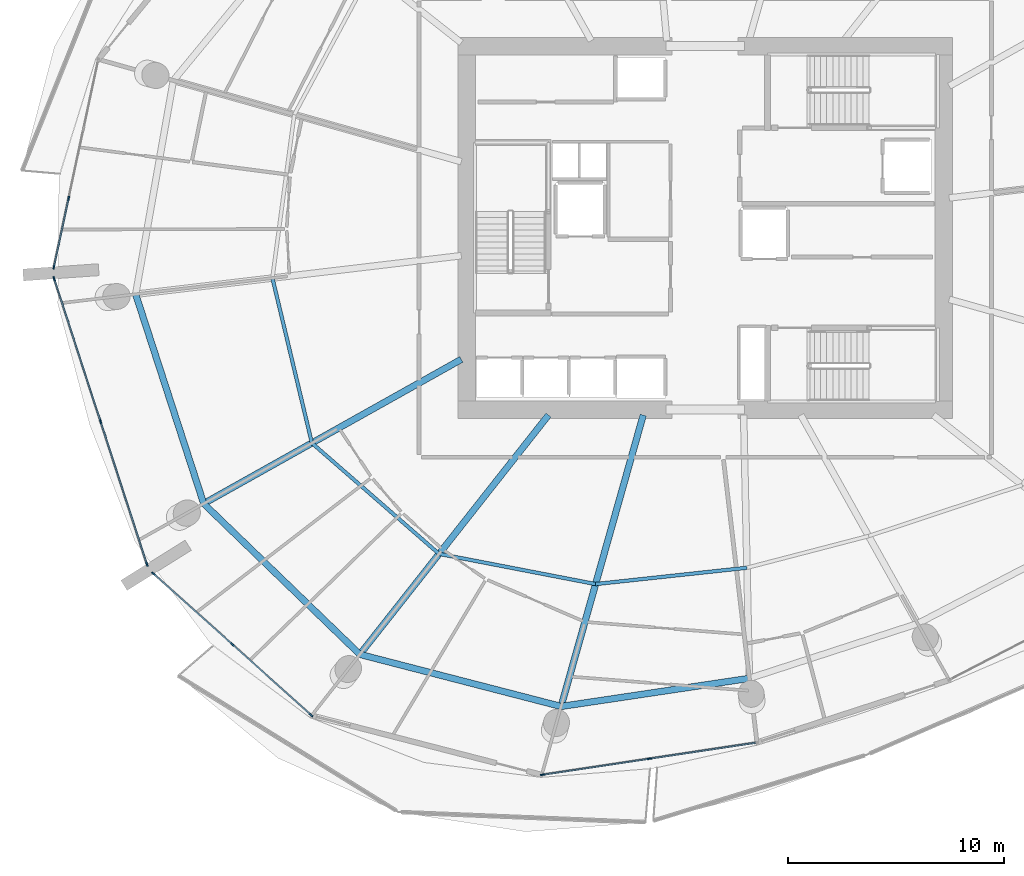
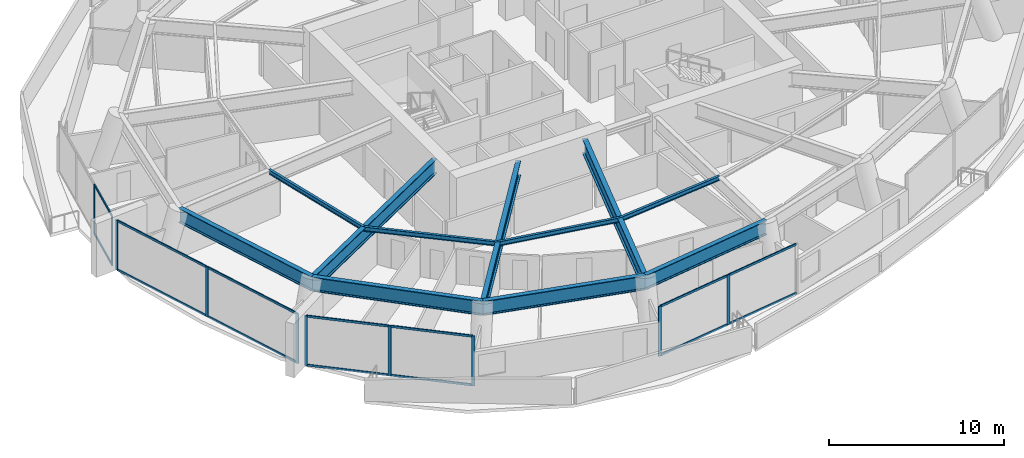
# One storey, part 5 of 23: 24 members, 11 beams, 4 elements without a shape of their own.
"""IFC4 building model written with IfcOpenShell, lengths in metres."""

from ifc_helpers import new_model, si_unit, direction, frame, origin, origin_2d, place, context, subcontext, project, spatial, rectangle, i_section, extrude, material, layer, layer_set, material_profile, profile_set, type_object, element, aggregate, save


model = new_model("IFC4")

# Units and contexts
model_context = context("Model", 3, precision=1e-05, world=origin(), true_north=direction((0.0, 1.0)))
body_context = subcontext(model_context, "Body", "Model", "MODEL_VIEW")
ifc_project = project(units=[si_unit("LENGTHUNIT", "METRE"), si_unit("AREAUNIT", "SQUARE_METRE"), si_unit("VOLUMEUNIT", "CUBIC_METRE"), si_unit("PLANEANGLEUNIT", "RADIAN"), si_unit("MASSUNIT", "GRAM", prefix="KILO")], contexts=[model_context])

# Site, building, storey
site_placement = place(None, origin())
site = spatial("IfcSite", under=ifc_project, at=site_placement, CompositionType="ELEMENT")
building_placement = place(site_placement, origin())
building = spatial("IfcBuilding", under=site, at=building_placement, Name="Kazma Halo Residences", CompositionType="ELEMENT")
storey_placement = place(building_placement, frame((0.0, 0.0, 112.64990234375)))
storey = spatial("IfcBuildingStorey", under=building, at=storey_placement, Name="L28", CompositionType="ELEMENT", Elevation=112.64990234375)

# Beams
ifc_material_1 = material(Name="Steel S355", Category="steel")
ifc_material_profile_1 = material_profile(ifc_material_1, i_section(OverallWidth=0.1650390625, OverallDepth=0.31005859375, WebThickness=0.005859375, FlangeThickness=0.009765625, FilletRadius=0.011962890625, at=origin_2d()), Name="W310x38.7")
ifc_profile_set_1 = profile_set([ifc_material_profile_1], Name="Steel S355")
beam_type_1 = type_object("IfcBeamType", Name="BM-SEC-W310B", PredefinedType="JOIST", material=ifc_profile_set_1)
beam_1_placement = place(storey_placement, frame((28.422607421875, 39.682861328125, 3.315185546875), z_axis=(0.232609711468, -0.972570163089, 0.0), x_axis=(0.972570163089, 0.232609711468, 0.0)))
element("IfcBeam", 1, at=beam_1_placement, inside=storey, type_object=beam_type_1, Name="L28 circumferential floor joist 08", PredefinedType="JOIST", context=body_context, shape_type="SweptSolid", body=[
    extrude(i_section(OverallWidth=0.1650390625, OverallDepth=0.31005859375, WebThickness=0.005859375, FlangeThickness=0.009765625, FilletRadius=0.011962890625, at=origin_2d()), origin(), (0.0, 0.0, 1.0), 7.84033203125),
])
beam_2_placement = place(storey_placement, frame((30.246337890625, 32.0576171875, 3.315185546875), z_axis=(0.753888453115, -0.657002435506, 0.0), x_axis=(0.657002435506, 0.753888453115, 0.0)))
element("IfcBeam", 2, at=beam_2_placement, inside=storey, type_object=beam_type_1, Name="L28 circumferential floor joist 09", PredefinedType="JOIST", context=body_context, shape_type="SweptSolid", body=[
    extrude(i_section(OverallWidth=0.1650390625, OverallDepth=0.31005859375, WebThickness=0.005859375, FlangeThickness=0.009765625, FilletRadius=0.011962890625, at=origin_2d()), origin(), (0.0, 0.0, 1.0), 7.79638671875),
])
beam_3_placement = place(storey_placement, frame((36.1240234375, 26.935302734375, 3.315185546875), z_axis=(0.981894944098, -0.189426288449, 0.0), x_axis=(0.189426288449, 0.981894944098, 0.0)))
element("IfcBeam", 3, at=beam_3_placement, inside=storey, type_object=beam_type_1, Name="L28 circumferential floor joist 10", PredefinedType="JOIST", context=body_context, shape_type="SweptSolid", body=[
    extrude(i_section(OverallWidth=0.1650390625, OverallDepth=0.31005859375, WebThickness=0.005859375, FlangeThickness=0.009765625, FilletRadius=0.011962890625, at=origin_2d()), origin(), (0.0, 0.0, 1.0), 7.366943359375),
])
beam_4_placement = place(storey_placement, frame((43.357666015625, 25.539794921875, 3.315185546875), z_axis=(0.994246365441, 0.107117528012, 0.0), x_axis=(-0.107117528012, 0.994246365441, 0.0)))
element("IfcBeam", 4, at=beam_4_placement, inside=storey, type_object=beam_type_1, Name="L28 circumferential floor joist 11", PredefinedType="JOIST", context=body_context, shape_type="SweptSolid", body=[
    extrude(i_section(OverallWidth=0.1650390625, OverallDepth=0.31005859375, WebThickness=0.005859375, FlangeThickness=0.009765625, FilletRadius=0.011962890625, at=origin_2d()), origin(), (0.0, 0.0, 1.0), 7.035888671875),
])
ifc_material_profile_2 = material_profile(ifc_material_1, i_section(OverallWidth=0.302001953125, OverallDepth=1.01806640625, WebThickness=0.021484375, FlangeThickness=0.049072265625, FilletRadius=0.028076171875, at=origin_2d()), Name="W1000x443")
ifc_profile_set_2 = profile_set([ifc_material_profile_2], Name="Steel S355")
beam_type_2 = type_object("IfcBeamType", Name="BM-TRANS-W1000A", PredefinedType="BEAM", material=ifc_profile_set_2)
beam_5_placement = place(storey_placement, frame((37.14990234375, 35.923583984375, 2.961181640625), z_axis=(-0.872500217681, -0.48861372284, 0.0), x_axis=(0.48861372284, -0.872500217681, 0.0)))
element("IfcBeam", 5, at=beam_5_placement, inside=storey, type_object=beam_type_2, Name="L28 podium radial transfer girder 09", PredefinedType="BEAM", context=body_context, shape_type="SweptSolid", body=[
    extrude(i_section(OverallWidth=0.302001953125, OverallDepth=1.01806640625, WebThickness=0.021484375, FlangeThickness=0.049072265625, FilletRadius=0.028076171875, at=origin_2d()), origin(), (0.0, 0.0, 1.0), 13.64208984375),
])
beam_6_placement = place(storey_placement, frame((41.180908203125, 33.35009765625, 2.961181640625), z_axis=(-0.619089364637, -0.785320545123, 0.0), x_axis=(0.785320545123, -0.619089364637, 0.0)))
element("IfcBeam", 6, at=beam_6_placement, inside=storey, type_object=beam_type_2, Name="L28 podium radial transfer girder 10", PredefinedType="BEAM", context=body_context, shape_type="SweptSolid", body=[
    extrude(i_section(OverallWidth=0.302001953125, OverallDepth=1.01806640625, WebThickness=0.021484375, FlangeThickness=0.049072265625, FilletRadius=0.028076171875, at=origin_2d()), origin(), (0.0, 0.0, 1.0), 14.083251953125),
])
beam_7_placement = place(storey_placement, frame((45.560302734375, 33.35009765625, 2.961181640625), z_axis=(-0.271430738381, -0.962457975323, 0.0), x_axis=(0.962457975323, -0.271430738381, 0.0)))
element("IfcBeam", 7, at=beam_7_placement, inside=storey, type_object=beam_type_2, Name="L28 podium radial transfer girder 11", PredefinedType="BEAM", context=body_context, shape_type="SweptSolid", body=[
    extrude(i_section(OverallWidth=0.302001953125, OverallDepth=1.01806640625, WebThickness=0.021484375, FlangeThickness=0.049072265625, FilletRadius=0.028076171875, at=origin_2d()), origin(), (0.0, 0.0, 1.0), 13.990966796875),
])
ifc_material_profile_3 = material_profile(ifc_material_1, i_section(OverallWidth=0.300048828125, OverallDepth=1.0, WebThickness=0.01904296875, FlangeThickness=0.0400390625, FilletRadius=0.02587890625, at=origin_2d()), Name="W1000x371")
ifc_profile_set_3 = profile_set([ifc_material_profile_3], Name="Steel S355")
beam_type_3 = type_object("IfcBeamType", Name="BM-TRANS-W1000B", PredefinedType="BEAM", material=ifc_profile_set_3)
beam_8_placement = place(storey_placement, frame((22.102783203125, 38.934814453125, 2.97021484375), z_axis=(0.30902042344, -0.951055402118, 0.0), x_axis=(0.951055402118, 0.30902042344, 0.0)))
element("IfcBeam", 8, at=beam_8_placement, inside=storey, type_object=beam_type_3, Name="L28 perimeter ring beam 08", PredefinedType="BEAM", context=body_context, shape_type="SweptSolid", body=[
    extrude(i_section(OverallWidth=0.300048828125, OverallDepth=1.0, WebThickness=0.01904296875, FlangeThickness=0.0400390625, FilletRadius=0.02587890625, at=origin_2d()), origin(), (0.0, 0.0, 1.0), 10.175048828125),
])
beam_9_placement = place(storey_placement, frame((25.2470703125, 29.2578125, 2.97021484375), z_axis=(0.71933980474, -0.694658365901, 0.0), x_axis=(0.694658365901, 0.71933980474, 0.0)))
element("IfcBeam", 9, at=beam_9_placement, inside=storey, type_object=beam_type_3, Name="L28 perimeter ring beam 09", PredefinedType="BEAM", context=body_context, shape_type="SweptSolid", body=[
    extrude(i_section(OverallWidth=0.300048828125, OverallDepth=1.0, WebThickness=0.01904296875, FlangeThickness=0.0400390625, FilletRadius=0.02587890625, at=origin_2d()), origin(), (0.0, 0.0, 1.0), 10.0302734375),
])
beam_10_placement = place(storey_placement, frame((32.462158203125, 22.290283203125, 2.97021484375), z_axis=(0.968129383871, -0.250450586115, 0.0), x_axis=(0.250450586115, 0.968129383871, 0.0)))
element("IfcBeam", 10, at=beam_10_placement, inside=storey, type_object=beam_type_3, Name="L28 perimeter ring beam 10", PredefinedType="BEAM", context=body_context, shape_type="SweptSolid", body=[
    extrude(i_section(OverallWidth=0.300048828125, OverallDepth=1.0, WebThickness=0.01904296875, FlangeThickness=0.0400390625, FilletRadius=0.02587890625, at=origin_2d()), origin(), (0.0, 0.0, 1.0), 9.606689453125),
])
beam_11_placement = place(storey_placement, frame((41.7626953125, 19.88427734375, 2.97021484375), z_axis=(0.989037895596, 0.147661914772, 0.0), x_axis=(-0.147661914772, 0.989037895596, 0.0)))
element("IfcBeam", 11, at=beam_11_placement, inside=storey, type_object=beam_type_3, Name="L28 perimeter ring beam 11", PredefinedType="BEAM", context=body_context, shape_type="SweptSolid", body=[
    extrude(i_section(OverallWidth=0.300048828125, OverallDepth=1.0, WebThickness=0.01904296875, FlangeThickness=0.0400390625, FilletRadius=0.02587890625, at=origin_2d()), origin(), (0.0, 0.0, 1.0), 8.797607421875),
])

# Curtain wall, members
ifc_material_2 = material(Name="Aluminium AW-6063 T6 and Triple-Silver Low-E Glass", Category="aluminium")
ifc_layer = layer(ifc_material_2, 0.199951171875)
ifc_layer_set = layer_set([ifc_layer], Name="Aluminium AW-6063 T6 and Triple-Silver Low-E Glass")
curtain_wall_type = type_object("IfcCurtainWallType", Name="CW-SYS-3", PredefinedType="NOTDEFINED", material=ifc_layer_set)
curtain_wall_1_placement = place(storey_placement, origin())
curtain_wall_1 = element("IfcCurtainWall", 12, at=curtain_wall_1_placement, inside=storey, type_object=curtain_wall_type, Name="L28 unitised curtain wall B07", PredefinedType="NOTDEFINED")
ifc_material_3 = material(Name="Aluminium AW-6063 T6", Category="aluminium")
ifc_material_profile_4 = material_profile(ifc_material_3, rectangle(XDim=0.070068359375, YDim=0.199951171875, at=origin_2d()), Name="CWM-70x200")
ifc_profile_set_4 = profile_set([ifc_material_profile_4], Name="Aluminium AW-6063 T6")
member_type_1 = type_object("IfcMemberType", Name="CW-SYS-3-MUL", PredefinedType="MULLION", material=ifc_profile_set_4)
member_1_placement = place(storey_placement, frame((19.004638671875, 43.36865234375, 0.0), z_axis=(0.0, 0.0, 1.0), x_axis=(0.977774176093, -0.209660822677, 0.0)))
member_1 = element("IfcMember", 13, at=member_1_placement, type_object=member_type_1, Name="CWS-3 mullion 3", PredefinedType="MULLION", context=body_context, shape_type="SweptSolid", body=[
    extrude(rectangle(XDim=0.070068359375, YDim=0.199951171875, at=origin_2d()), origin(), (0.0, 0.0, 1.0), 3.47021484375),
])
member_2_placement = place(storey_placement, frame((18.323486328125, 40.192626953125, 0.0), z_axis=(0.0, 0.0, 1.0), x_axis=(0.977774176093, -0.209660822677, 0.0)))
member_2 = element("IfcMember", 14, at=member_2_placement, type_object=member_type_1, Name="CWS-3 mullion 4", PredefinedType="MULLION", context=body_context, shape_type="SweptSolid", body=[
    extrude(rectangle(XDim=0.070068359375, YDim=0.199951171875, at=origin_2d()), origin(), (0.0, 0.0, 1.0), 3.47021484375),
])

curtain_wall_2_placement = place(storey_placement, origin())
curtain_wall_2 = element("IfcCurtainWall", 15, at=curtain_wall_2_placement, inside=storey, type_object=curtain_wall_type, Name="L28 unitised curtain wall B08", PredefinedType="NOTDEFINED")
member_3_placement = place(storey_placement, frame((18.334716796875, 39.6572265625, 0.0), z_axis=(0.0, 0.0, 1.0), x_axis=(0.951057722508, 0.309013282008, 0.0)))
member_3 = element("IfcMember", 16, at=member_3_placement, type_object=member_type_1, Name="CWS-3 mullion 1", PredefinedType="MULLION", context=body_context, shape_type="SweptSolid", body=[
    extrude(rectangle(XDim=0.070068359375, YDim=0.199951171875, at=origin_2d()), origin(), (0.0, 0.0, 1.0), 3.47021484375),
])
member_4_placement = place(storey_placement, frame((20.47900390625, 33.057861328125, 0.0), z_axis=(0.0, 0.0, 1.0), x_axis=(0.951057722508, 0.309013282008, 0.0)))
member_4 = element("IfcMember", 17, at=member_4_placement, type_object=member_type_1, Name="CWS-3 mullion 2", PredefinedType="MULLION", context=body_context, shape_type="SweptSolid", body=[
    extrude(rectangle(XDim=0.070068359375, YDim=0.199951171875, at=origin_2d()), origin(), (0.0, 0.0, 1.0), 3.47021484375),
])
member_5_placement = place(storey_placement, frame((22.623291015625, 26.45849609375, 0.0), z_axis=(0.0, 0.0, 1.0), x_axis=(0.951057722508, 0.309013282008, 0.0)))
member_5 = element("IfcMember", 18, at=member_5_placement, type_object=member_type_1, Name="CWS-3 mullion 3", PredefinedType="MULLION", context=body_context, shape_type="SweptSolid", body=[
    extrude(rectangle(XDim=0.070068359375, YDim=0.199951171875, at=origin_2d()), origin(), (0.0, 0.0, 1.0), 3.47021484375),
])

curtain_wall_3_placement = place(storey_placement, origin())
curtain_wall_3 = element("IfcCurtainWall", 19, at=curtain_wall_3_placement, inside=storey, type_object=curtain_wall_type, Name="L28 unitised curtain wall B09", PredefinedType="NOTDEFINED")
member_6_placement = place(storey_placement, frame((22.928955078125, 26.018798828125, 0.0), z_axis=(0.0, 0.0, 1.0), x_axis=(0.667794957375, 0.744345279359, 0.0)))
member_6 = element("IfcMember", 20, at=member_6_placement, type_object=member_type_1, Name="CWS-3 mullion 1", PredefinedType="MULLION", context=body_context, shape_type="SweptSolid", body=[
    extrude(rectangle(XDim=0.070068359375, YDim=0.199951171875, at=origin_2d()), origin(), (0.0, 0.0, 1.0), 3.47021484375),
])
member_7_placement = place(storey_placement, frame((26.568603515625, 22.75341796875, 0.0), z_axis=(0.0, 0.0, 1.0), x_axis=(0.667794957375, 0.744345279359, 0.0)))
member_7 = element("IfcMember", 21, at=member_7_placement, type_object=member_type_1, Name="CWS-3 mullion 2", PredefinedType="MULLION", context=body_context, shape_type="SweptSolid", body=[
    extrude(rectangle(XDim=0.070068359375, YDim=0.199951171875, at=origin_2d()), origin(), (0.0, 0.0, 1.0), 3.47021484375),
])
member_8_placement = place(storey_placement, frame((30.208251953125, 19.48779296875, 0.0), z_axis=(0.0, 0.0, 1.0), x_axis=(0.667794957375, 0.744345279359, 0.0)))
member_8 = element("IfcMember", 22, at=member_8_placement, type_object=member_type_1, Name="CWS-3 mullion 3", PredefinedType="MULLION", context=body_context, shape_type="SweptSolid", body=[
    extrude(rectangle(XDim=0.070068359375, YDim=0.199951171875, at=origin_2d()), origin(), (0.0, 0.0, 1.0), 3.47021484375),
])

curtain_wall_4_placement = place(storey_placement, origin())
curtain_wall_4 = element("IfcCurtainWall", 23, at=curtain_wall_4_placement, inside=storey, type_object=curtain_wall_type, Name="L28 unitised curtain wall B11", PredefinedType="NOTDEFINED")
member_9_placement = place(storey_placement, frame((40.90576171875, 16.728271484375, 0.0), z_axis=(0.0, 0.0, 1.0), x_axis=(-0.148717330409, 0.988879747814, 0.0)))
member_9 = element("IfcMember", 24, at=member_9_placement, type_object=member_type_1, Name="CWS-3 mullion 1", PredefinedType="MULLION", context=body_context, shape_type="SweptSolid", body=[
    extrude(rectangle(XDim=0.070068359375, YDim=0.199951171875, at=origin_2d()), origin(), (0.0, 0.0, 1.0), 3.47021484375),
])
member_10_placement = place(storey_placement, frame((45.843017578125, 17.470703125, 0.0), z_axis=(0.0, 0.0, 1.0), x_axis=(-0.148717330409, 0.988879747814, 0.0)))
member_10 = element("IfcMember", 25, at=member_10_placement, type_object=member_type_1, Name="CWS-3 mullion 2", PredefinedType="MULLION", context=body_context, shape_type="SweptSolid", body=[
    extrude(rectangle(XDim=0.070068359375, YDim=0.199951171875, at=origin_2d()), origin(), (0.0, 0.0, 1.0), 3.47021484375),
])

# Member
ifc_material_profile_5 = material_profile(ifc_material_3, rectangle(XDim=0.070068359375, YDim=0.14990234375, at=origin_2d()), Name="CWT-70x150")
ifc_profile_set_5 = profile_set([ifc_material_profile_5], Name="Aluminium AW-6063 T6")
member_type_2 = type_object("IfcMemberType", Name="CW-SYS-3-TRN", PredefinedType="USERDEFINED", material=ifc_profile_set_5)
member_11_placement = place(storey_placement, frame((18.997314453125, 43.33447265625, 0.03515625), z_axis=(-0.209717949017, -0.977761924939, 0.0), x_axis=(0.977761924939, -0.209717949017, 0.0)))
member_11 = element("IfcMember", 26, at=member_11_placement, type_object=member_type_2, Name="CWS-3 transom 3.1", ObjectType="TRANSOM", PredefinedType="USERDEFINED", context=body_context, shape_type="SweptSolid", body=[
    extrude(rectangle(XDim=0.070068359375, YDim=0.14990234375, at=origin_2d()), origin(), (0.0, 0.0, 1.0), 3.177978515625),
])

member_12_placement = place(storey_placement, frame((18.997314453125, 43.33447265625, 3.43505859375), z_axis=(-0.209717949017, -0.977761924939, 0.0), x_axis=(0.977761924939, -0.209717949017, 0.0)))
member_12 = element("IfcMember", 27, at=member_12_placement, type_object=member_type_2, Name="CWS-3 transom 3.2", ObjectType="TRANSOM", PredefinedType="USERDEFINED", context=body_context, shape_type="SweptSolid", body=[
    extrude(rectangle(XDim=0.070068359375, YDim=0.14990234375, at=origin_2d()), origin(), (0.0, 0.0, 1.0), 3.177978515625),
])

aggregate(curtain_wall_1, [member_1, member_2, member_11, member_12])

member_13_placement = place(storey_placement, frame((18.345458984375, 39.6240234375, 0.03515625), z_axis=(0.309000079699, -0.95106201204, 0.0), x_axis=(0.95106201204, 0.309000079699, 0.0)))
member_13 = element("IfcMember", 28, at=member_13_placement, type_object=member_type_2, Name="CWS-3 transom 1.1", ObjectType="TRANSOM", PredefinedType="USERDEFINED", context=body_context, shape_type="SweptSolid", body=[
    extrude(rectangle(XDim=0.070068359375, YDim=0.14990234375, at=origin_2d()), origin(), (0.0, 0.0, 1.0), 6.869140625),
])

member_14_placement = place(storey_placement, frame((18.345458984375, 39.6240234375, 3.43505859375), z_axis=(0.309000079699, -0.95106201204, 0.0), x_axis=(0.95106201204, 0.309000079699, 0.0)))
member_14 = element("IfcMember", 29, at=member_14_placement, type_object=member_type_2, Name="CWS-3 transom 1.2", ObjectType="TRANSOM", PredefinedType="USERDEFINED", context=body_context, shape_type="SweptSolid", body=[
    extrude(rectangle(XDim=0.070068359375, YDim=0.14990234375, at=origin_2d()), origin(), (0.0, 0.0, 1.0), 6.869140625),
])

member_15_placement = place(storey_placement, frame((20.48974609375, 33.024658203125, 0.03515625), z_axis=(0.309000079699, -0.95106201204, 0.0), x_axis=(0.95106201204, 0.309000079699, 0.0)))
member_15 = element("IfcMember", 30, at=member_15_placement, type_object=member_type_2, Name="CWS-3 transom 2.1", ObjectType="TRANSOM", PredefinedType="USERDEFINED", context=body_context, shape_type="SweptSolid", body=[
    extrude(rectangle(XDim=0.070068359375, YDim=0.14990234375, at=origin_2d()), origin(), (0.0, 0.0, 1.0), 6.869140625),
])

member_16_placement = place(storey_placement, frame((20.48974609375, 33.024658203125, 3.43505859375), z_axis=(0.309000079699, -0.95106201204, 0.0), x_axis=(0.95106201204, 0.309000079699, 0.0)))
member_16 = element("IfcMember", 31, at=member_16_placement, type_object=member_type_2, Name="CWS-3 transom 2.2", ObjectType="TRANSOM", PredefinedType="USERDEFINED", context=body_context, shape_type="SweptSolid", body=[
    extrude(rectangle(XDim=0.070068359375, YDim=0.14990234375, at=origin_2d()), origin(), (0.0, 0.0, 1.0), 6.869140625),
])

aggregate(curtain_wall_2, [member_3, member_4, member_5, member_13, member_14, member_15, member_16])

member_17_placement = place(storey_placement, frame((22.954833984375, 25.995361328125, 0.03515625), z_axis=(0.744338471453, -0.667802545603, 0.0), x_axis=(0.667802545603, 0.744338471453, 0.0)))
member_17 = element("IfcMember", 32, at=member_17_placement, type_object=member_type_2, Name="CWS-3 transom 1.1", ObjectType="TRANSOM", PredefinedType="USERDEFINED", context=body_context, shape_type="SweptSolid", body=[
    extrude(rectangle(XDim=0.070068359375, YDim=0.14990234375, at=origin_2d()), origin(), (0.0, 0.0, 1.0), 4.81982421875),
])

member_18_placement = place(storey_placement, frame((22.954833984375, 25.995361328125, 3.43505859375), z_axis=(0.744338471453, -0.667802545603, 0.0), x_axis=(0.667802545603, 0.744338471453, 0.0)))
member_18 = element("IfcMember", 33, at=member_18_placement, type_object=member_type_2, Name="CWS-3 transom 1.2", ObjectType="TRANSOM", PredefinedType="USERDEFINED", context=body_context, shape_type="SweptSolid", body=[
    extrude(rectangle(XDim=0.070068359375, YDim=0.14990234375, at=origin_2d()), origin(), (0.0, 0.0, 1.0), 4.81982421875),
])

member_19_placement = place(storey_placement, frame((26.5947265625, 22.72998046875, 0.03515625), z_axis=(0.744338471453, -0.667802545603, 0.0), x_axis=(0.667802545603, 0.744338471453, 0.0)))
member_19 = element("IfcMember", 34, at=member_19_placement, type_object=member_type_2, Name="CWS-3 transom 2.1", ObjectType="TRANSOM", PredefinedType="USERDEFINED", context=body_context, shape_type="SweptSolid", body=[
    extrude(rectangle(XDim=0.070068359375, YDim=0.14990234375, at=origin_2d()), origin(), (0.0, 0.0, 1.0), 4.81982421875),
])

member_20_placement = place(storey_placement, frame((26.5947265625, 22.72998046875, 3.43505859375), z_axis=(0.744338471453, -0.667802545603, 0.0), x_axis=(0.667802545603, 0.744338471453, 0.0)))
member_20 = element("IfcMember", 35, at=member_20_placement, type_object=member_type_2, Name="CWS-3 transom 2.2", ObjectType="TRANSOM", PredefinedType="USERDEFINED", context=body_context, shape_type="SweptSolid", body=[
    extrude(rectangle(XDim=0.070068359375, YDim=0.14990234375, at=origin_2d()), origin(), (0.0, 0.0, 1.0), 4.81982421875),
])

aggregate(curtain_wall_3, [member_6, member_7, member_8, member_17, member_18, member_19, member_20])

member_21_placement = place(storey_placement, frame((40.9404296875, 16.7333984375, 0.03515625), z_axis=(0.988876977991, 0.148735746878, 0.0), x_axis=(-0.148735746878, 0.988876977991, 0.0)))
member_21 = element("IfcMember", 36, at=member_21_placement, type_object=member_type_2, Name="CWS-3 transom 1.1", ObjectType="TRANSOM", PredefinedType="USERDEFINED", context=body_context, shape_type="SweptSolid", body=[
    extrude(rectangle(XDim=0.070068359375, YDim=0.14990234375, at=origin_2d()), origin(), (0.0, 0.0, 1.0), 4.922607421875),
])

member_22_placement = place(storey_placement, frame((40.9404296875, 16.7333984375, 3.43505859375), z_axis=(0.988876977991, 0.148735746878, 0.0), x_axis=(-0.148735746878, 0.988876977991, 0.0)))
member_22 = element("IfcMember", 37, at=member_22_placement, type_object=member_type_2, Name="CWS-3 transom 1.2", ObjectType="TRANSOM", PredefinedType="USERDEFINED", context=body_context, shape_type="SweptSolid", body=[
    extrude(rectangle(XDim=0.070068359375, YDim=0.14990234375, at=origin_2d()), origin(), (0.0, 0.0, 1.0), 4.922607421875),
])

member_23_placement = place(storey_placement, frame((45.87744140625, 17.47607421875, 0.03515625), z_axis=(0.988884271372, 0.148687248386, 0.0), x_axis=(-0.148687248386, 0.988884271372, 0.0)))
member_23 = element("IfcMember", 38, at=member_23_placement, type_object=member_type_2, Name="CWS-3 transom 2.1", ObjectType="TRANSOM", PredefinedType="USERDEFINED", context=body_context, shape_type="SweptSolid", body=[
    extrude(rectangle(XDim=0.070068359375, YDim=0.14990234375, at=origin_2d()), origin(), (0.0, 0.0, 1.0), 4.922607421875),
])

member_24_placement = place(storey_placement, frame((45.87744140625, 17.47607421875, 3.43505859375), z_axis=(0.988884271372, 0.148687248386, 0.0), x_axis=(-0.148687248386, 0.988884271372, 0.0)))
member_24 = element("IfcMember", 39, at=member_24_placement, type_object=member_type_2, Name="CWS-3 transom 2.2", ObjectType="TRANSOM", PredefinedType="USERDEFINED", context=body_context, shape_type="SweptSolid", body=[
    extrude(rectangle(XDim=0.070068359375, YDim=0.14990234375, at=origin_2d()), origin(), (0.0, 0.0, 1.0), 4.922607421875),
])

aggregate(curtain_wall_4, [member_9, member_10, member_21, member_22, member_23, member_24])

save(model, "model.ifc")
